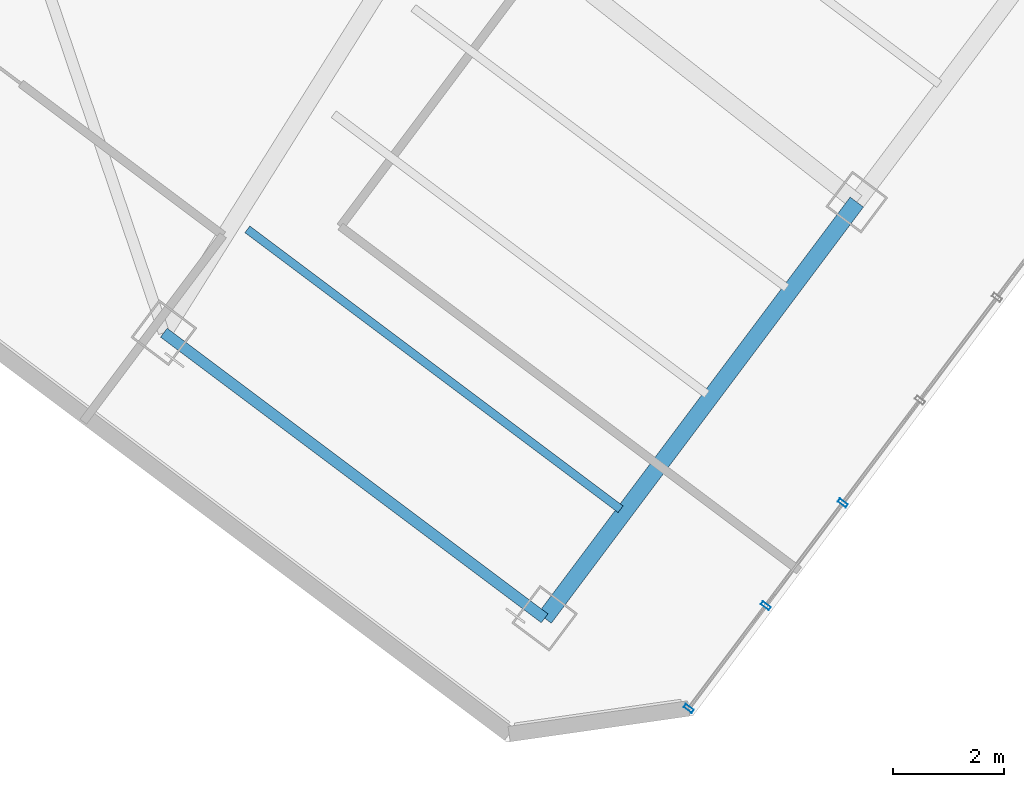
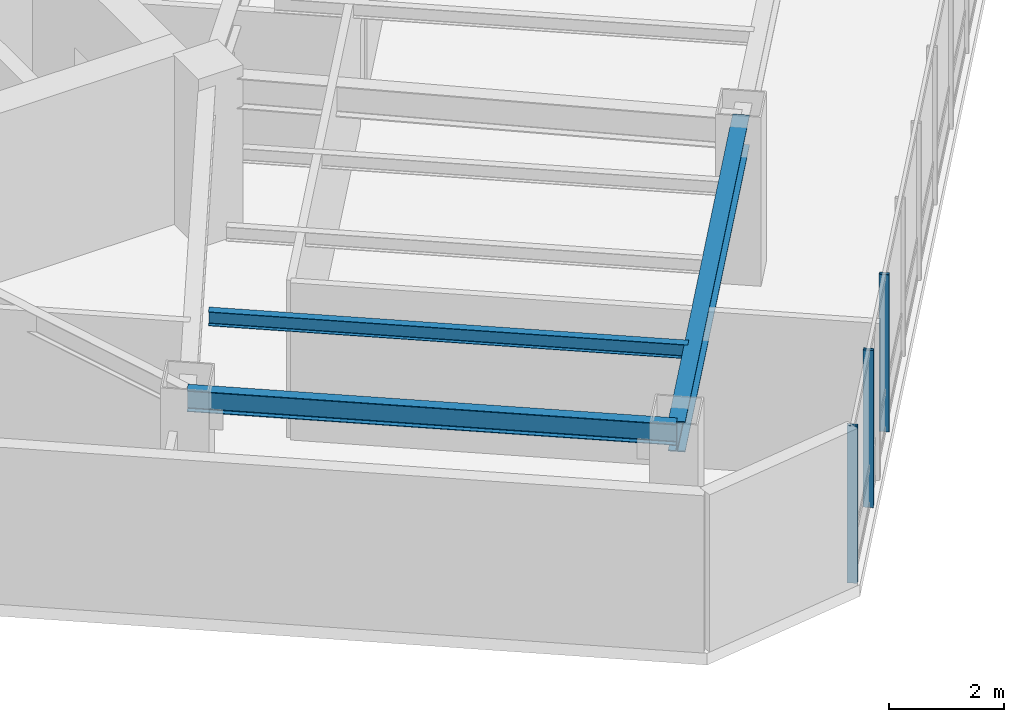
# One storey, part 10 of 26: 3 beams, 3 members, 1 element without a shape of its own.
"""IFC4 building model written with IfcOpenShell, lengths in metres."""

from ifc_helpers import new_model, si_unit, direction, frame, origin, origin_2d, place, context, subcontext, project, spatial, hollow_rectangle, i_section, extrude, material, layer, layer_set, material_profile, profile_set, type_object, element, aggregate, save


model = new_model("IFC4")

# Units and contexts
model_context = context("Model", 3, precision=1e-05, world=origin(), true_north=direction((0.0, 1.0)))
body_context = subcontext(model_context, "Body", "Model", "MODEL_VIEW")
ifc_project = project(units=[si_unit("LENGTHUNIT", "METRE"), si_unit("AREAUNIT", "SQUARE_METRE"), si_unit("VOLUMEUNIT", "CUBIC_METRE"), si_unit("PLANEANGLEUNIT", "RADIAN"), si_unit("MASSUNIT", "GRAM", prefix="KILO")], contexts=[model_context])

# Site, building, storey
site_placement = place(None, origin())
site = spatial("IfcSite", under=ifc_project, at=site_placement, CompositionType="ELEMENT")
building_placement = place(site_placement, origin())
building = spatial("IfcBuilding", under=site, at=building_placement, Name="Hatsunagi Terrace Concourse", CompositionType="ELEMENT")
storey_placement = place(building_placement, frame((0.0, 0.0, 152.85009765625)))
storey = spatial("IfcBuildingStorey", under=building, at=storey_placement, Name="L40", CompositionType="ELEMENT", Elevation=152.85009765625)

# Curtain wall, members
ifc_material_1 = material(Name="Anodised Aluminium Alloy 6063-T5", Category="aluminium")
ifc_layer = layer(ifc_material_1, 0.199951171875)
ifc_layer_set = layer_set([ifc_layer], Name="OfficeZone1_CW03")
curtain_wall_type = type_object("IfcCurtainWallType", Name="OfficeZone1_CW03", PredefinedType="NOTDEFINED", material=ifc_layer_set)
curtain_wall_placement = place(storey_placement, origin())
curtain_wall = element("IfcCurtainWall", 1, at=curtain_wall_placement, inside=storey, type_object=curtain_wall_type, Name="Unitised Curtain Wall CW-03 CW-L40-03", PredefinedType="NOTDEFINED")
ifc_material_2 = material(Name="Anodised Aluminium Alloy 6063-T5", Category="aluminium")
ifc_material_profile_1 = material_profile(ifc_material_2, hollow_rectangle(XDim=0.070068359375, YDim=0.179931640625, WallThickness=0.00390625, at=origin_2d()), Name="ALU-MUL-180x70x4")
ifc_profile_set_1 = profile_set([ifc_material_profile_1], Name="Anodised Aluminium Alloy 6063-T5")
member_type = type_object("IfcMemberType", Name="CurtainWallMullion_180x70", PredefinedType="MULLION", material=ifc_profile_set_1)
member_1_placement = place(storey_placement, frame((50.947021484375, 12.962890625, 0.0), z_axis=(0.0, 0.0, 1.0), x_axis=(-0.599969314634, -0.800023013105, 0.0)))
member_1 = element("IfcMember", 2, at=member_1_placement, type_object=member_type, Name="Curtain Wall Mullion MUL-02", PredefinedType="MULLION", context=body_context, shape_type="SweptSolid", body=[
    extrude(hollow_rectangle(XDim=0.070068359375, YDim=0.179931640625, WallThickness=0.00390625, at=origin_2d()), origin(), (0.0, 0.0, 1.0), 3.349853515625),
])
member_2_placement = place(storey_placement, frame((49.554931640625, 11.10595703125, 0.0), z_axis=(0.0, 0.0, 1.0), x_axis=(-0.599969314634, -0.800023013105, 0.0)))
member_2 = element("IfcMember", 3, at=member_2_placement, type_object=member_type, Name="Curtain Wall Mullion MUL-02", PredefinedType="MULLION", context=body_context, shape_type="SweptSolid", body=[
    extrude(hollow_rectangle(XDim=0.070068359375, YDim=0.179931640625, WallThickness=0.00390625, at=origin_2d()), origin(), (0.0, 0.0, 1.0), 3.349853515625),
])
member_3_placement = place(storey_placement, frame((48.1630859375, 9.25, 0.0), z_axis=(0.0, 0.0, 1.0), x_axis=(-0.599969314634, -0.800023013105, 0.0)))
member_3 = element("IfcMember", 4, at=member_3_placement, type_object=member_type, Name="Curtain Wall Mullion MUL-02", PredefinedType="MULLION", context=body_context, shape_type="SweptSolid", body=[
    extrude(hollow_rectangle(XDim=0.070068359375, YDim=0.179931640625, WallThickness=0.00390625, at=origin_2d()), origin(), (0.0, 0.0, 1.0), 3.349853515625),
])
aggregate(curtain_wall, [member_1, member_2, member_3])

# Beams
ifc_material_3 = material(Name="Steel SN490B", Category="steel")
ifc_material_profile_2 = material_profile(ifc_material_3, i_section(OverallWidth=0.14990234375, OverallDepth=0.300048828125, WebThickness=0.006591796875, FlangeThickness=0.009033203125, FilletRadius=0.010986328125, at=origin_2d()), Name="H-300x150x6.5x9")
ifc_profile_set_2 = profile_set([ifc_material_profile_2], Name="Steel SN490B")
beam_type_1 = type_object("IfcBeamType", Name="OfficeJoist_H_300x150", PredefinedType="JOIST", material=ifc_profile_set_2)
beam_1_placement = place(storey_placement, frame((40.18798828125, 17.908935546875, 3.199951171875), z_axis=(0.800003475366, -0.59999536615, 0.0), x_axis=(0.59999536615, 0.800003475366, 0.0)))
element("IfcBeam", 5, at=beam_1_placement, inside=storey, type_object=beam_type_1, Name="Beam J-03 J-L40-SE-2-46", PredefinedType="JOIST", context=body_context, shape_type="SweptSolid", body=[
    extrude(i_section(OverallWidth=0.14990234375, OverallDepth=0.300048828125, WebThickness=0.006591796875, FlangeThickness=0.009033203125, FilletRadius=0.010986328125, at=origin_2d()), origin(), (0.0, 0.0, 1.0), 8.429931640625),
])
ifc_material_4 = material(Name="Steel SN490B", Category="steel")
ifc_material_profile_3 = material_profile(ifc_material_4, i_section(OverallWidth=0.300048828125, OverallDepth=0.64990234375, WebThickness=0.012939453125, FlangeThickness=0.02197265625, FilletRadius=0.01806640625, at=origin_2d()), Name="H-650x300x13x22")
ifc_profile_set_3 = profile_set([ifc_material_profile_3], Name="Steel SN490B")
beam_type_2 = type_object("IfcBeamType", Name="OfficeLowGirder_H_650x300", PredefinedType="BEAM", material=ifc_profile_set_3)
beam_2_placement = place(storey_placement, frame((45.56005859375, 10.8798828125, 3.02490234375), z_axis=(0.599991688754, 0.800006233367, 0.0), x_axis=(-0.800006233367, 0.599991688754, 0.0)))
element("IfcBeam", 6, at=beam_2_placement, inside=storey, type_object=beam_type_2, Name="Beam G-05 BM-L40-SET-2A", PredefinedType="BEAM", context=body_context, shape_type="SweptSolid", body=[
    extrude(i_section(OverallWidth=0.300048828125, OverallDepth=0.64990234375, WebThickness=0.012939453125, FlangeThickness=0.02197265625, FilletRadius=0.01806640625, at=origin_2d()), origin(), (0.0, 0.0, 1.0), 9.39990234375),
])
ifc_material_5 = material(Name="Steel SN490B", Category="steel")
ifc_material_profile_4 = material_profile(ifc_material_5, i_section(OverallWidth=0.199951171875, OverallDepth=0.449951171875, WebThickness=0.009033203125, FlangeThickness=0.013916015625, FilletRadius=0.01611328125, at=origin_2d()), Name="H-450x200x9x14")
ifc_profile_set_4 = profile_set([ifc_material_profile_4], Name="Steel SN490B")
beam_type_3 = type_object("IfcBeamType", Name="PerimeterSpandrel_H_450x200", PredefinedType="SPANDREL", material=ifc_profile_set_4)
beam_3_placement = place(storey_placement, frame((38.679931640625, 16.0400390625, 3.125), z_axis=(0.799996593451, -0.600004542038, 0.0), x_axis=(0.600004542038, 0.799996593451, 0.0)))
element("IfcBeam", 7, at=beam_3_placement, inside=storey, type_object=beam_type_3, Name="Beam SP-02 BM-L40-SE-SW2", PredefinedType="SPANDREL", context=body_context, shape_type="SweptSolid", body=[
    extrude(i_section(OverallWidth=0.199951171875, OverallDepth=0.449951171875, WebThickness=0.009033203125, FlangeThickness=0.013916015625, FilletRadius=0.01611328125, at=origin_2d()), origin(), (0.0, 0.0, 1.0), 8.60009765625),
])

save(model, "model.ifc")
